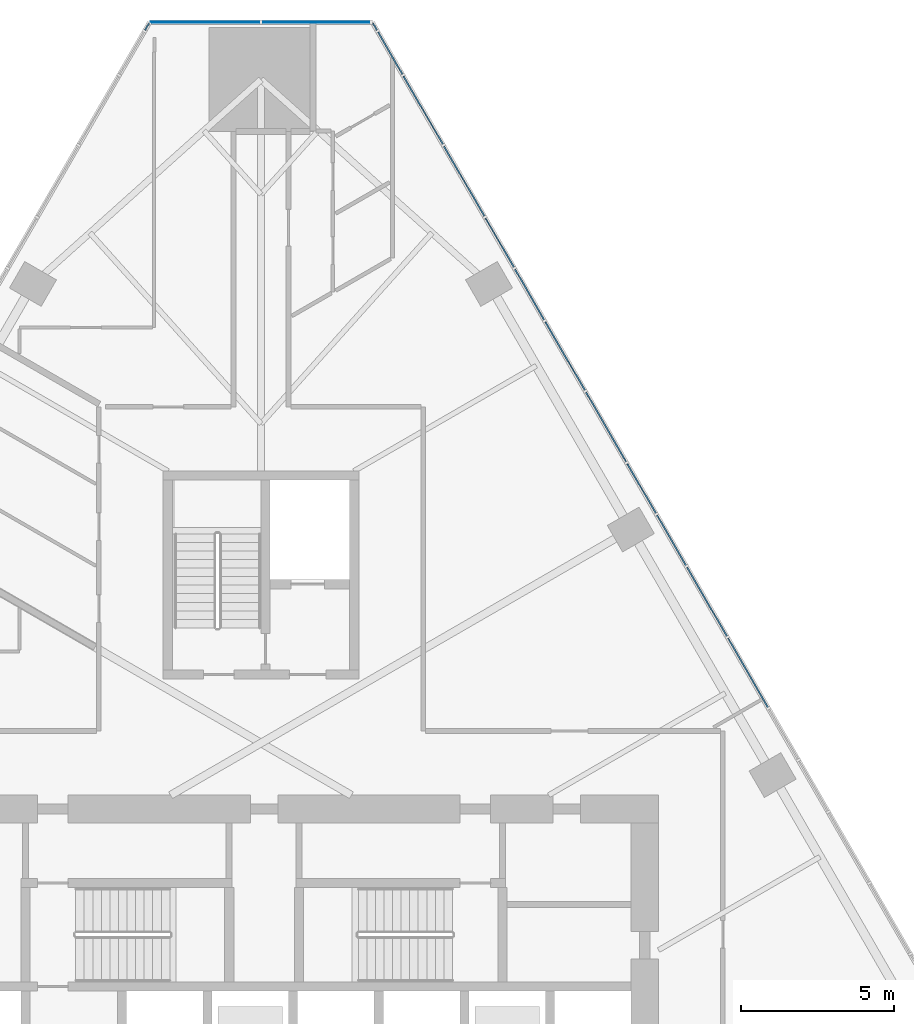
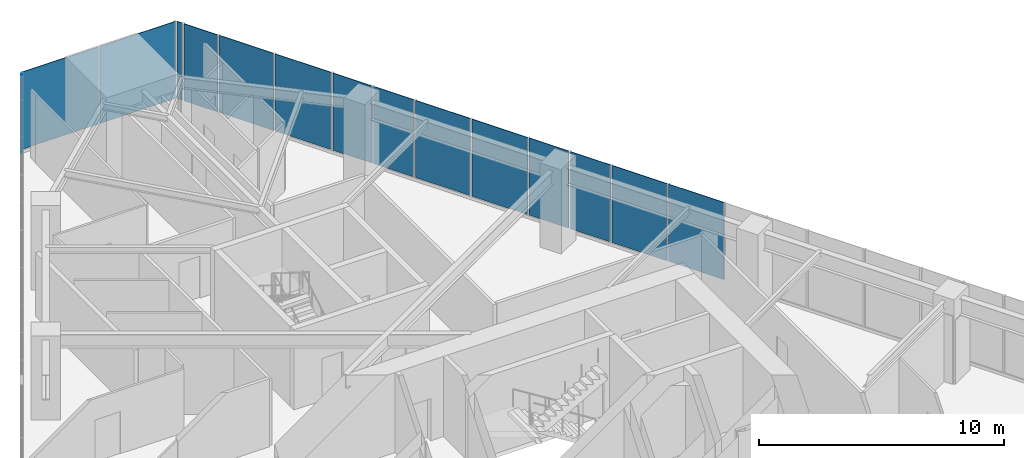
# One storey, part 15 of 22: 15 plates, 3 elements without a shape of their own.
"""IFC4 building model written with IfcOpenShell, lengths in metres."""

from ifc_helpers import new_model, si_unit, direction, frame, origin, place, context, subcontext, project, spatial, polyline, outline, extrude, material, layer, layer_set, type_object, element, aggregate, save


model = new_model("IFC4")

# Units and contexts
model_context = context("Model", 3, precision=1e-05, world=origin(), true_north=direction((0.0, 1.0)))
body_context = subcontext(model_context, "Body", "Model", "MODEL_VIEW")
ifc_project = project(units=[si_unit("LENGTHUNIT", "METRE"), si_unit("AREAUNIT", "SQUARE_METRE"), si_unit("VOLUMEUNIT", "CUBIC_METRE"), si_unit("PLANEANGLEUNIT", "RADIAN"), si_unit("MASSUNIT", "GRAM", prefix="KILO")], contexts=[model_context])

# Site, building, storey
site_placement = place(None, origin())
site = spatial("IfcSite", under=ifc_project, at=site_placement, CompositionType="ELEMENT")
building_placement = place(site_placement, origin())
building = spatial("IfcBuilding", under=site, at=building_placement, Name="Firuza Gate Tower and Library", CompositionType="ELEMENT")
storey_placement = place(building_placement, frame((0.0, 0.0, 128.199951171875)))
storey = spatial("IfcBuildingStorey", under=building, at=storey_placement, Name="L29", CompositionType="ELEMENT", Elevation=128.199951171875)

# Curtain wall, plates
ifc_material_1 = material(Name="Aluminium 6063-T6", Category="aluminium")
ifc_layer_1 = layer(ifc_material_1, 0.14990234375)
ifc_layer_set_1 = layer_set([ifc_layer_1], Name="Corner curtain wall, chamfers")
curtain_wall_type_1 = type_object("IfcCurtainWallType", Name="Corner curtain wall, chamfers", PredefinedType="NOTDEFINED", material=ifc_layer_set_1)
placement = place(storey_placement, origin())
curtain_wall_1 = element("IfcCurtainWall", 1, at=placement, inside=storey, type_object=curtain_wall_type_1, Name="CW4 L29 N corner", PredefinedType="NOTDEFINED")
ifc_material_2 = material(Name="Fritted glass", Category="glass")
ifc_layer_2 = layer(ifc_material_2, 0.030029296875)
ifc_layer_set_2 = layer_set([ifc_layer_2], Name="Fritted glass unit, corners")
plate_type_1 = type_object("IfcPlateType", Name="Fritted glass unit, corners", PredefinedType="CURTAIN_PANEL", material=ifc_layer_set_2)
plate_1_placement = place(storey_placement, frame((78.603271484375, 109.28857421875, 0.150146484375), z_axis=(0.0, 1.0, 0.0), x_axis=(-1.0, 0.0, 0.0)))
plate_1 = element("IfcPlate", 2, at=plate_1_placement, type_object=plate_type_1, Name="Glass unit", PredefinedType="CURTAIN_PANEL", context=body_context, shape_type="SweptSolid", body=[
    extrude(outline(polyline([(0.0, 0.0), (3.563232421875, 0.0), (3.563232421875, 3.849853515625), (0.0, 3.849853515625), (0.0, 0.0)])), origin(), (0.0, 0.0, -1.0), 0.030029296875),
])
plate_2_placement = place(storey_placement, frame((74.9599609375, 109.28857421875, 0.150146484375), z_axis=(0.0, 1.0, 0.0), x_axis=(-1.0, 0.0, 0.0)))
plate_2 = element("IfcPlate", 3, at=plate_2_placement, type_object=plate_type_1, Name="Glass unit", PredefinedType="CURTAIN_PANEL", context=body_context, shape_type="SweptSolid", body=[
    extrude(outline(polyline([(0.0, 0.0), (3.563232421875, 0.0), (3.563232421875, 3.849853515625), (0.0, 3.849853515625), (0.0, 0.0)])), origin(), (0.0, 0.0, -1.0), 0.030029296875),
])
aggregate(curtain_wall_1, [plate_1, plate_2])

ifc_material_3 = material(Name="Aluminium 6063-T6", Category="aluminium")
ifc_layer_3 = layer(ifc_material_3, 0.14990234375)
ifc_layer_set_3 = layer_set([ifc_layer_3], Name="Unitised curtain wall, offices")
curtain_wall_type_2 = type_object("IfcCurtainWallType", Name="Unitised curtain wall, offices", PredefinedType="NOTDEFINED", material=ifc_layer_set_3)
curtain_wall_2 = element("IfcCurtainWall", 4, at=placement, inside=storey, type_object=curtain_wall_type_2, Name="CW1 L29 E face", PredefinedType="NOTDEFINED")
ifc_material_4 = material(Name="Fritted glass", Category="glass")
ifc_layer_4 = layer(ifc_material_4, 0.030029296875)
ifc_layer_set_4 = layer_set([ifc_layer_4], Name="Fritted glass unit, offices")
plate_type_2 = type_object("IfcPlateType", Name="Fritted glass unit, offices", PredefinedType="CURTAIN_PANEL", material=ifc_layer_set_4)
plate_3_placement = place(storey_placement, frame((88.908203125, 91.524169921875, 0.150146484375), z_axis=(0.866009237431, 0.5000279999, 0.0), x_axis=(-0.5000279999, 0.866009237431, 0.0)))
plate_3 = element("IfcPlate", 5, at=plate_3_placement, type_object=plate_type_2, Name="Glass unit", PredefinedType="CURTAIN_PANEL", context=body_context, shape_type="SweptSolid", body=[
    extrude(outline(polyline([(0.0, 0.0), (1.8905191313051264, 0.0), (1.8905191313051264, 3.849853515625001), (0.0, 3.849853515625001), (0.0, 0.0)])), origin(), (0.0, 0.0, -1.0), 0.030029296875),
])
plate_4_placement = place(storey_placement, frame((87.923095703125, 93.230712890625, 0.150146484375), z_axis=(0.866015249523, 0.500017587285, 0.0), x_axis=(-0.500017587285, 0.866015249523, 0.0)))
plate_4 = element("IfcPlate", 6, at=plate_4_placement, type_object=plate_type_2, Name="Glass unit", PredefinedType="CURTAIN_PANEL", context=body_context, shape_type="SweptSolid", body=[
    extrude(outline(polyline([(0.0, 0.0), (1.8617509199621438, 0.0), (1.8617509199621438, 3.849853515625), (0.0, 3.849853515625), (0.0, 0.0)])), origin(), (0.0, 0.0, -1.0), 0.030029296875),
])
plate_5_placement = place(storey_placement, frame((84.272216796875, 99.55419921875, 0.150146484375), z_axis=(0.865978549379, 0.500081145431, 0.0), x_axis=(-0.500081145431, 0.865978549379, 0.0)))
plate_5 = element("IfcPlate", 7, at=plate_5_placement, type_object=plate_type_2, Name="Glass unit", PredefinedType="CURTAIN_PANEL", context=body_context, shape_type="SweptSolid", body=[
    extrude(outline(polyline([(0.0, 0.0), (1.9049642792053532, 0.0), (1.9049642792053532, 3.849853515625), (0.0, 3.849853515625), (0.0, 0.0)])), origin(), (0.0, 0.0, -1.0), 0.030029296875),
])
plate_6_placement = place(storey_placement, frame((83.279541015625, 101.273193359375, 0.150146484375), z_axis=(0.866046938348, 0.499962699187, 0.0), x_axis=(-0.499962699187, 0.866046938348, 0.0)))
plate_6 = element("IfcPlate", 8, at=plate_6_placement, type_object=plate_type_2, Name="Glass unit", PredefinedType="CURTAIN_PANEL", context=body_context, shape_type="SweptSolid", body=[
    extrude(outline(polyline([(0.0, 0.0), (1.8473057807660518, 0.0), (1.8473057807660518, 3.849853515625), (0.0, 3.849853515625), (0.0, 0.0)])), origin(), (0.0, 0.0, -1.0), 0.030029296875),
])
plate_7_placement = place(storey_placement, frame((79.635986328125, 107.584228515625, 0.150146484375), z_axis=(0.866011520327, 0.500024046082, 0.0), x_axis=(-0.500024046082, 0.866011520327, 0.0)))
plate_7 = element("IfcPlate", 9, at=plate_7_placement, type_object=plate_type_2, Name="Glass unit", PredefinedType="CURTAIN_PANEL", context=body_context, shape_type="SweptSolid", body=[
    extrude(outline(polyline([(0.0, 0.0), (1.5883025213450572, 0.0), (1.5883025213450572, 3.849853515625), (0.0, 3.849853515625), (0.0, 0.0)])), origin(), (0.0, 0.0, -1.0), 0.030029296875),
])
ifc_material_5 = material(Name="Glazed ceramic tile")
ifc_layer_5 = layer(ifc_material_5, 0.030029296875)
ifc_layer_set_5 = layer_set([ifc_layer_5], Name="Opaque ceramic panel, offices")
plate_type_3 = type_object("IfcPlateType", Name="Opaque ceramic panel, offices", PredefinedType="CURTAIN_PANEL", material=ifc_layer_set_5)
plate_8_placement = place(storey_placement, frame((91.58837890625, 86.882080078125, 0.150146484375), z_axis=(0.866021861762, 0.500006134913, 0.0), x_axis=(-0.500006134913, 0.866021861762, 0.0)))
plate_8 = element("IfcPlate", 10, at=plate_8_placement, type_object=plate_type_3, Name="Opaque ceramic panel", PredefinedType="CURTAIN_PANEL", context=body_context, shape_type="SweptSolid", body=[
    extrude(outline(polyline([(0.0, 0.0), (2.607389882780822, 0.0), (2.607389882780822, 3.849853515625), (0.0, 3.849853515625), (0.0, 0.0)])), origin(), (0.0, 0.0, -1.0), 0.030029296875),
])
plate_9_placement = place(storey_placement, frame((90.24462890625, 89.20947265625, 0.150146484375), z_axis=(0.866020935974, 0.500007738395, 0.0), x_axis=(-0.500007738395, 0.866020935974, 0.0)))
plate_9 = element("IfcPlate", 11, at=plate_9_placement, type_object=plate_type_3, Name="Opaque ceramic panel", PredefinedType="CURTAIN_PANEL", context=body_context, shape_type="SweptSolid", body=[
    extrude(outline(polyline([(0.0, 0.0), (2.592733310309924, 0.0), (2.592733310309924, 3.849853515625), (0.0, 3.849853515625), (0.0, 0.0)])), origin(), (0.0, 0.0, -1.0), 0.030029296875),
])
plate_10_placement = place(storey_placement, frame((86.9521484375, 94.912109375, 0.150146484375), z_axis=(0.866039819127, 0.499975031064, 0.0), x_axis=(-0.499975031064, 0.866039819127, 0.0)))
plate_10 = element("IfcPlate", 12, at=plate_10_placement, type_object=plate_type_3, Name="Opaque ceramic panel", PredefinedType="CURTAIN_PANEL", context=body_context, shape_type="SweptSolid", body=[
    extrude(outline(polyline([(0.0, 0.0), (2.6217129540181845, 0.0), (2.6217129540181845, 3.849853515625), (0.0, 3.849853515625), (0.0, 0.0)])), origin(), (0.0, 0.0, -1.0), 0.030029296875),
])
plate_11_placement = place(storey_placement, frame((85.601318359375, 97.251953125, 0.150146484375), z_axis=(0.86600267068, 0.500039372825, 0.0), x_axis=(-0.500039372825, 0.86600267068, 0.0)))
plate_11 = element("IfcPlate", 13, at=plate_11_placement, type_object=plate_type_3, Name="Opaque ceramic panel", PredefinedType="CURTAIN_PANEL", context=body_context, shape_type="SweptSolid", body=[
    extrude(outline(polyline([(0.0, 0.0), (2.5784102426580846, 0.0), (2.5784102426580846, 3.849853515625), (0.0, 3.849853515625), (0.0, 0.0)])), origin(), (0.0, 0.0, -1.0), 0.030029296875),
])
plate_12_placement = place(storey_placement, frame((82.31591796875, 102.942138671875, 0.150146484375), z_axis=(0.866057580247, 0.499944264589, 0.0), x_axis=(-0.499944264589, 0.866057580247, 0.0)))
plate_12 = element("IfcPlate", 14, at=plate_12_placement, type_object=plate_type_3, Name="Opaque ceramic panel", PredefinedType="CURTAIN_PANEL", context=body_context, shape_type="SweptSolid", body=[
    extrude(outline(polyline([(0.0, 0.0), (2.6360360286005866, 0.0), (2.6360360286005866, 3.849853515625), (0.0, 3.849853515625), (0.0, 0.0)])), origin(), (0.0, 0.0, -1.0), 0.030029296875),
])
plate_13_placement = place(storey_placement, frame((80.9580078125, 105.29443359375, 0.150146484375), z_axis=(0.866025432576, 0.499999950132, 0.0), x_axis=(-0.499999950132, 0.866025432576, 0.0)))
plate_13 = element("IfcPlate", 15, at=plate_13_placement, type_object=plate_type_3, Name="Opaque ceramic panel", PredefinedType="CURTAIN_PANEL", context=body_context, shape_type="SweptSolid", body=[
    extrude(outline(polyline([(0.0, 0.0), (2.5639650994676484, 0.0), (2.5639650994676484, 3.849853515625001), (0.0, 3.849853515625001), (0.0, 0.0)])), origin(), (0.0, 0.0, -1.0), 0.030029296875),
])
plate_14_placement = place(storey_placement, frame((78.802001953125, 109.02880859375, 0.150146484375), z_axis=(0.865780878536, 0.500423291185, 0.0), x_axis=(-0.500423291185, 0.865780878536, 0.0)))
plate_14 = element("IfcPlate", 16, at=plate_14_placement, type_object=plate_type_3, Name="Opaque ceramic panel", PredefinedType="CURTAIN_PANEL", context=body_context, shape_type="SweptSolid", body=[
    extrude(outline(polyline([(0.0, 0.0), (0.2512521381192305, 0.0), (0.2512521381192305, 3.849853515625), (0.0, 3.849853515625), (0.0, 0.0)])), origin(), (0.0, 0.0, -1.0), 0.030029296875),
])
aggregate(curtain_wall_2, [plate_8, plate_9, plate_3, plate_4, plate_10, plate_11, plate_5, plate_6, plate_12, plate_13, plate_7, plate_14])

# Curtain wall, plate
curtain_wall_3 = element("IfcCurtainWall", 17, at=placement, inside=storey, type_object=curtain_wall_type_2, Name="CW1 L29 W face", PredefinedType="NOTDEFINED")
plate_15_placement = place(storey_placement, frame((71.32373046875, 109.246337890625, 0.150146484375), z_axis=(-0.865780878536, 0.500423291185, 0.0), x_axis=(-0.500423291185, -0.865780878536, 0.0)))
plate_15 = element("IfcPlate", 18, at=plate_15_placement, type_object=plate_type_3, Name="Opaque ceramic panel", PredefinedType="CURTAIN_PANEL", context=body_context, shape_type="SweptSolid", body=[
    extrude(outline(polyline([(0.0, 0.0), (0.2512521381192305, 0.0), (0.2512521381192305, 3.849853515625), (0.0, 3.849853515625), (0.0, 0.0)])), origin(), (0.0, 0.0, -1.0), 0.030029296875),
])
aggregate(curtain_wall_3, [plate_15])

save(model, "model.ifc")
